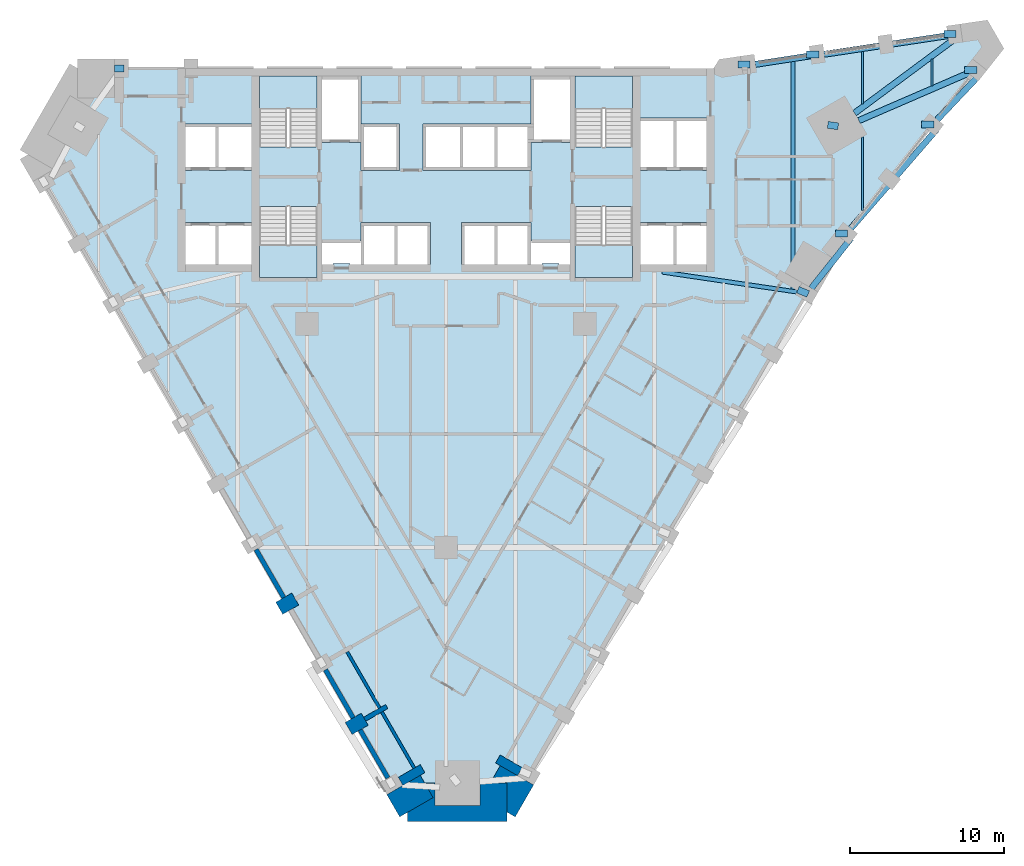
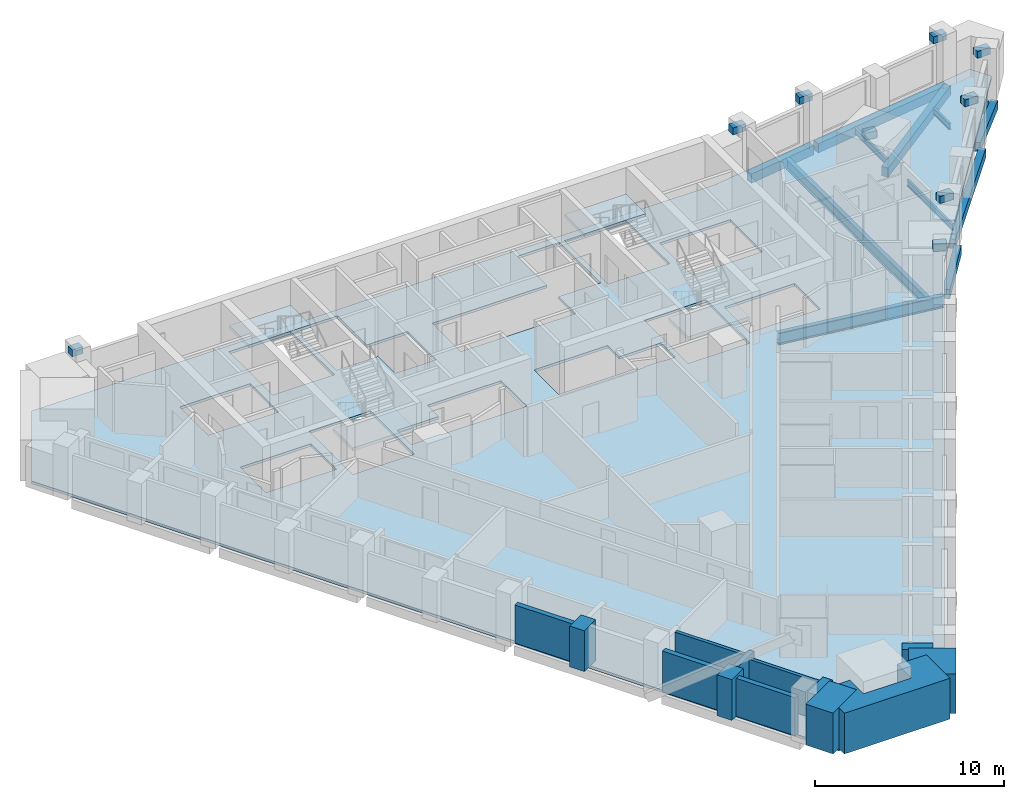
# One storey, part 2 of 11: 21 beams, 13 walls, 5 slabs, 4 elements without a shape of their own.
"""IFC4 building model written with IfcOpenShell, lengths in metres."""

from ifc_helpers import new_model, si_unit, direction, frame, frame_2d, origin, origin_2d, place, context, subcontext, project, spatial, polyline, rectangle, i_section, outline, extrude, material, layer, layer_set, material_profile, profile_set, type_object, element, aggregate, save


model = new_model("IFC4")

# Units and contexts
model_context = context("Model", 3, precision=1e-05, world=origin(), true_north=direction((0.0, 1.0)))
body_context = subcontext(model_context, "Body", "Model", "MODEL_VIEW")
ifc_project = project(units=[si_unit("LENGTHUNIT", "METRE"), si_unit("AREAUNIT", "SQUARE_METRE"), si_unit("VOLUMEUNIT", "CUBIC_METRE"), si_unit("PLANEANGLEUNIT", "RADIAN"), si_unit("MASSUNIT", "GRAM", prefix="KILO")], contexts=[model_context])

# Site, building, storey
site_placement = place(None, origin())
site = spatial("IfcSite", under=ifc_project, at=site_placement, CompositionType="ELEMENT")
building_placement = place(site_placement, origin())
building = spatial("IfcBuilding", under=site, at=building_placement, Name="Calabash Gate Tower", CompositionType="ELEMENT")
storey_placement = place(building_placement, frame((0.0, 0.0, 119.0)))
storey = spatial("IfcBuildingStorey", under=building, at=storey_placement, Name="L27", CompositionType="ELEMENT", Elevation=119.0)

# Beams
ifc_material_1 = material(Name="Concrete C80/95", Category="concrete")
ifc_material_profile_1 = material_profile(ifc_material_1, rectangle(XDim=0.449951171875, YDim=0.449951171875, at=origin_2d()))
ifc_profile_set_1 = profile_set([ifc_material_profile_1], Name="Concrete C80/95")
beam_type_1 = type_object("IfcBeamType", Name="Column offset link RC 450x450 Concrete C80/95", PredefinedType="BEAM", material=ifc_profile_set_1)
beam_1_placement = place(storey_placement, frame((25.427978515625, 15.299072265625, 3.00390625), z_axis=(-0.989849007121, 0.142122985833, 0.0), x_axis=(-0.142122985833, -0.989849007121, 0.0)))
element("IfcBeam", 1, at=beam_1_placement, inside=storey, type_object=beam_type_1, Name="Column offset link L27 NE", PredefinedType="BEAM", context=body_context, shape_type="SweptSolid", body=[
    extrude(rectangle(XDim=0.449951171875, YDim=0.449951171875, at=origin_2d()), origin(), (0.0, 0.0, 1.0), 0.681884765625),
])
beam_2_placement = place(storey_placement, frame((23.47900390625, 4.429931640625, 3.00390625), z_axis=(-0.922112578583, 0.386921687709, 0.0), x_axis=(-0.386921687709, -0.922112578583, 0.0)))
element("IfcBeam", 2, at=beam_2_placement, inside=storey, type_object=beam_type_1, Name="Column offset link L27 P12", PredefinedType="BEAM", context=body_context, shape_type="SweptSolid", body=[
    extrude(rectangle(XDim=0.449951171875, YDim=0.449951171875, at=origin_2d()), origin(), (0.0, 0.0, 1.0), 0.72119140625),
])
beam_3_placement = place(storey_placement, frame((26.04296875, 8.366943359375, 3.00390625), z_axis=(-1.0, 0.0, 0.0), x_axis=(0.0, -1.0, 0.0)))
element("IfcBeam", 3, at=beam_3_placement, inside=storey, type_object=beam_type_1, Name="Column offset link L27 P13", PredefinedType="BEAM", context=body_context, shape_type="SweptSolid", body=[
    extrude(rectangle(XDim=0.449951171875, YDim=0.449951171875, at=origin_2d()), origin(), (0.0, 0.0, 1.0), 0.796875),
])
beam_4_placement = place(storey_placement, frame((24.172119140625, 19.970947265625, 3.00390625), z_axis=(-1.0, 0.0, 0.0), x_axis=(0.0, -1.0, 0.0)))
element("IfcBeam", 4, at=beam_4_placement, inside=storey, type_object=beam_type_1, Name="Column offset link L27 P16", PredefinedType="BEAM", context=body_context, shape_type="SweptSolid", body=[
    extrude(rectangle(XDim=0.449951171875, YDim=0.449951171875, at=origin_2d()), origin(), (0.0, 0.0, 1.0), 0.795166015625),
])
beam_5_placement = place(storey_placement, frame((-20.866943359375, 19.052978515625, 3.00390625), z_axis=(-1.0, 0.0, 0.0), x_axis=(0.0, -1.0, 0.0)))
element("IfcBeam", 5, at=beam_5_placement, inside=storey, type_object=beam_type_1, Name="Column offset link L27 P17", PredefinedType="BEAM", context=body_context, shape_type="SweptSolid", body=[
    extrude(rectangle(XDim=0.449951171875, YDim=0.449951171875, at=origin_2d()), origin(), (0.0, 0.0, 1.0), 0.630126953125),
])
for number, where, z_axis, x_axis, name in (
    (6, (31.6259765625, 15.424072265625, 3.00390625), (-1.0, 0.0, 0.0), (0.0, -1.0, 0.0), "Column offset link L27 P21"),
    (7, (34.4169921875, 18.9541015625, 3.00390625), (-1.0, 0.0, 0.0), (0.0, -1.0, 0.0), "Column offset link L27 P22"),
):
    element("IfcBeam", number, at=place(storey_placement, frame(where, z_axis=z_axis, x_axis=x_axis)), inside=storey, type_object=beam_type_1, Name=name, PredefinedType="BEAM", context=body_context, shape_type="SweptSolid", body=[
        extrude(rectangle(XDim=0.449951171875, YDim=0.449951171875, at=origin_2d()), origin(), (0.0, 0.0, 1.0), 0.796875),
    ])
beam_6_placement = place(storey_placement, frame((33.075927734375, 21.27587890625, 3.00390625), z_axis=(-1.0, 0.0, 0.0), x_axis=(0.0, -1.0, 0.0)))
element("IfcBeam", 8, at=beam_6_placement, inside=storey, type_object=beam_type_1, Name="Column offset link L27 P23", PredefinedType="BEAM", context=body_context, shape_type="SweptSolid", body=[
    extrude(rectangle(XDim=0.449951171875, YDim=0.449951171875, at=origin_2d()), origin(), (0.0, 0.0, 1.0), 0.7958984375),
])
beam_7_placement = place(storey_placement, frame((19.718994140625, 19.318115234375, 3.00390625), z_axis=(-1.0, 0.0, 0.0), x_axis=(0.0, -1.0, 0.0)))
element("IfcBeam", 9, at=beam_7_placement, inside=storey, type_object=beam_type_1, Name="Column offset link L27 P24", PredefinedType="BEAM", context=body_context, shape_type="SweptSolid", body=[
    extrude(rectangle(XDim=0.449951171875, YDim=0.449951171875, at=origin_2d()), origin(), (0.0, 0.0, 1.0), 0.796875),
])
ifc_material_2 = material(Name="Concrete C60/75", Category="concrete")
ifc_material_profile_2 = material_profile(ifc_material_2, rectangle(XDim=0.39990234375, YDim=0.60009765625, at=origin_2d()))
ifc_profile_set_2 = profile_set([ifc_material_profile_2], Name="Concrete C60/75")
beam_type_2 = type_object("IfcBeamType", Name="Edge beam RC 400x600 Concrete C60/75", PredefinedType="BEAM", material=ifc_profile_set_2)
beam_8_placement = place(storey_placement, frame((23.681884765625, 4.800048828125, -0.469970703125), z_axis=(0.621757740303, 0.783209622242, 0.0), x_axis=(-0.783209622242, 0.621757740303, 0.0)))
element("IfcBeam", 10, at=beam_8_placement, inside=storey, type_object=beam_type_2, Name="Edge beam L27 10", PredefinedType="BEAM", context=body_context, shape_type="SweptSolid", body=[
    extrude(rectangle(XDim=0.39990234375, YDim=0.60009765625, at=origin_2d()), origin(), (0.0, 0.0, 1.0), 4.141845703125),
])
beam_9_placement = place(storey_placement, frame((26.237060546875, 8.66796875, -0.469970703125), z_axis=(0.654894622811, 0.755720208155, 0.0), x_axis=(-0.755720208155, 0.654894622811, 0.0)))
element("IfcBeam", 11, at=beam_9_placement, inside=storey, type_object=beam_type_2, Name="Edge beam L27 11", PredefinedType="BEAM", context=body_context, shape_type="SweptSolid", body=[
    extrude(rectangle(XDim=0.39990234375, YDim=0.60009765625, at=origin_2d()), origin(), (0.0, 0.0, 1.0), 8.540283203125),
])
beam_10_placement = place(storey_placement, frame((31.839111328125, 15.72412109375, -0.469970703125), z_axis=(0.685941332038, 0.727656848385, 0.0), x_axis=(-0.727656848385, 0.685941332038, 0.0)))
element("IfcBeam", 12, at=beam_10_placement, inside=storey, type_object=beam_type_2, Name="Edge beam L27 12", PredefinedType="BEAM", context=body_context, shape_type="SweptSolid", body=[
    extrude(rectangle(XDim=0.39990234375, YDim=0.60009765625, at=origin_2d()), origin(), (0.0, 0.0, 1.0), 4.026611328125),
])
beam_11_placement = place(storey_placement, frame((34.27392578125, 18.922119140625, -0.469970703125), z_axis=(-0.917731210619, -0.397201995282, 0.0), x_axis=(0.397201995282, -0.917731210619, 0.0)))
element("IfcBeam", 13, at=beam_11_placement, inside=storey, type_object=beam_type_2, Name="Edge beam L27 13", PredefinedType="BEAM", context=body_context, shape_type="SweptSolid", body=[
    extrude(rectangle(XDim=0.39990234375, YDim=0.60009765625, at=origin_2d()), origin(), (0.0, 0.0, 1.0), 8.1796875),
])
beam_12_placement = place(storey_placement, frame((26.489990234375, 16.153076171875, -0.469970703125), z_axis=(0.803084890755, 0.595864630802, 0.0), x_axis=(-0.595864630802, 0.803084890755, 0.0)))
element("IfcBeam", 14, at=beam_12_placement, inside=storey, type_object=beam_type_2, Name="Edge beam L27 14", PredefinedType="BEAM", context=body_context, shape_type="SweptSolid", body=[
    extrude(rectangle(XDim=0.39990234375, YDim=0.60009765625, at=origin_2d()), origin(), (0.0, 0.0, 1.0), 8.319091796875),
])
beam_13_placement = place(storey_placement, frame((33.139892578125, 21.27392578125, -0.469970703125), z_axis=(-0.988841625555, -0.148970599683, 0.0), x_axis=(0.148970599683, -0.988841625555, 0.0)))
element("IfcBeam", 15, at=beam_13_placement, inside=storey, type_object=beam_type_2, Name="Edge beam L27 15", PredefinedType="BEAM", context=body_context, shape_type="SweptSolid", body=[
    extrude(rectangle(XDim=0.39990234375, YDim=0.60009765625, at=origin_2d()), origin(), (0.0, 0.0, 1.0), 8.7333984375),
])
beam_14_placement = place(storey_placement, frame((24.236083984375, 19.968017578125, -0.469970703125), z_axis=(-0.988255414285, -0.152811112607, 0.0), x_axis=(0.152811112607, -0.988255414285, 0.0)))
element("IfcBeam", 16, at=beam_14_placement, inside=storey, type_object=beam_type_2, Name="Edge beam L27 16", PredefinedType="BEAM", context=body_context, shape_type="SweptSolid", body=[
    extrude(rectangle(XDim=0.39990234375, YDim=0.60009765625, at=origin_2d()), origin(), (0.0, 0.0, 1.0), 4.23388671875),
])
ifc_material_3 = material(Name="Steel ASTM A992 Gr50", Category="steel")
ifc_material_profile_3 = material_profile(ifc_material_3, i_section(OverallWidth=0.1396484375, OverallDepth=0.398681640625, WebThickness=0.00634765625, FlangeThickness=0.0087890625, FilletRadius=0.01025390625, at=origin_2d()))
ifc_profile_set_3 = profile_set([ifc_material_profile_3], Name="Steel ASTM A992 Gr50")
beam_type_3 = type_object("IfcBeamType", Name="Floor beam W16x26 ASTM A992 Gr50", PredefinedType="BEAM", material=ifc_profile_set_3)
beam_15_placement = place(storey_placement, frame((27.0, 9.833984375, -0.368896484375), z_axis=(0.0, 1.0, 0.0), x_axis=(-1.0, 0.0, 0.0)))
element("IfcBeam", 17, at=beam_15_placement, inside=storey, type_object=beam_type_3, Name="Floor beam L27 19", PredefinedType="BEAM", context=body_context, shape_type="SweptSolid", body=[
    extrude(i_section(OverallWidth=0.1396484375, OverallDepth=0.398681640625, WebThickness=0.00634765625, FlangeThickness=0.0087890625, FilletRadius=0.01025390625, at=origin_2d()), origin(), (0.0, 0.0, 1.0), 4.7880859375),
])
beam_16_placement = place(storey_placement, frame((27.0, 16.748046875, -0.368896484375), z_axis=(0.0, 1.0, 0.0), x_axis=(-1.0, 0.0, 0.0)))
element("IfcBeam", 18, at=beam_16_placement, inside=storey, type_object=beam_type_3, Name="Floor beam L27 20", PredefinedType="BEAM", context=body_context, shape_type="SweptSolid", body=[
    extrude(i_section(OverallWidth=0.1396484375, OverallDepth=0.398681640625, WebThickness=0.00634765625, FlangeThickness=0.0087890625, FilletRadius=0.01025390625, at=origin_2d()), origin(), (0.0, 0.0, 1.0), 3.419921875),
])
beam_17_placement = place(storey_placement, frame((31.5, 17.91796875, -0.368896484375), z_axis=(0.0, 1.0, 0.0), x_axis=(-1.0, 0.0, 0.0)))
element("IfcBeam", 19, at=beam_17_placement, inside=storey, type_object=beam_type_3, Name="Floor beam L27 21", PredefinedType="BEAM", context=body_context, shape_type="SweptSolid", body=[
    extrude(i_section(OverallWidth=0.1396484375, OverallDepth=0.398681640625, WebThickness=0.00634765625, FlangeThickness=0.0087890625, FilletRadius=0.01025390625, at=origin_2d()), origin(), (0.0, 0.0, 1.0), 1.735107421875),
])
ifc_material_4 = material(Name="Steel ASTM A992 Gr50", Category="steel")
ifc_material_profile_4 = material_profile(ifc_material_4, i_section(OverallWidth=0.25390625, OverallDepth=0.67822265625, WebThickness=0.01171875, FlangeThickness=0.016357421875, FilletRadius=0.01513671875, at=origin_2d()))
ifc_profile_set_4 = profile_set([ifc_material_profile_4], Name="Steel ASTM A992 Gr50")
beam_type_4 = type_object("IfcBeamType", Name="Floor beam W27x84 ASTM A992 Gr50", PredefinedType="BEAM", material=ifc_profile_set_4)
beam_18_placement = place(storey_placement, frame((22.5, 4.722900390625, -0.509033203125), z_axis=(0.0, 1.0, 0.0), x_axis=(-1.0, 0.0, 0.0)))
element("IfcBeam", 20, at=beam_18_placement, inside=storey, type_object=beam_type_4, Name="Floor beam L27 18", PredefinedType="BEAM", context=body_context, shape_type="SweptSolid", body=[
    extrude(i_section(OverallWidth=0.25390625, OverallDepth=0.67822265625, WebThickness=0.01171875, FlangeThickness=0.016357421875, FilletRadius=0.01513671875, at=origin_2d()), origin(), (0.0, 0.0, 1.0), 14.80517578125),
])
ifc_material_5 = material(Name="Steel ASTM A992 Gr50", Category="steel")
ifc_material_profile_5 = material_profile(ifc_material_5, i_section(OverallWidth=0.2666015625, OverallDepth=0.77978515625, WebThickness=0.0166015625, FlangeThickness=0.030029296875, FilletRadius=0.0166015625, at=origin_2d()))
ifc_profile_set_5 = profile_set([ifc_material_profile_5], Name="Steel ASTM A992 Gr50")
beam_type_5 = type_object("IfcBeamType", Name="Girder W30x148 ASTM A992 Gr50", PredefinedType="BEAM", material=ifc_profile_set_5)
beam_19_placement = place(storey_placement, frame((23.323974609375, 4.47802734375, -0.56005859375), z_axis=(-0.989239618769, 0.146304397262, 0.0), x_axis=(-0.146304397262, -0.989239618769, 0.0)))
element("IfcBeam", 21, at=beam_19_placement, inside=storey, type_object=beam_type_5, Name="Girder L27 3", PredefinedType="BEAM", context=body_context, shape_type="SweptSolid", body=[
    extrude(i_section(OverallWidth=0.2666015625, OverallDepth=0.77978515625, WebThickness=0.0166015625, FlangeThickness=0.030029296875, FilletRadius=0.0166015625, at=origin_2d()), origin(), (0.0, 0.0, 1.0), 9.418212890625),
])

# Slab
ifc_material_6 = material(Name="Concrete C40/50", Category="concrete")
ifc_layer_1 = layer(ifc_material_6, 0.169921875)
ifc_layer_set_1 = layer_set([ifc_layer_1], Name="Composite floor slab 170 Concrete C40/50")
slab_type_1 = type_object("IfcSlabType", Name="Composite floor slab 170 Concrete C40/50", PredefinedType="FLOOR", material=ifc_layer_set_1)
slab_1_placement = place(storey_placement, frame((0.0, 0.0, -0.169921875)))
element("IfcSlab", 22, at=slab_1_placement, inside=storey, type_object=slab_type_1, Name="Floor slab L27", PredefinedType="FLOOR", context=body_context, shape_type="SweptSolid", body=[
    extrude(outline(polyline([(-27.0966796875, 13.46826171875), (-23.87255859375, 19.052490234375), (17.806640625, 19.052490234375), (34.788818359375, 21.54150390625), (35.453369140625, 20.390625), (24.806640625, 6.92822265625), (3.967041015625, -29.167236328125), (-2.481201171875, -29.167236328125), (-27.0966796875, 13.46826171875)]), holes=[polyline([(-5.5, 9.052490234375), (-5.5, 7.8525390625), (-8.050048828125, 7.8525390625), (-8.050048828125, 6.3525390625), (-7.324951171875, 6.3525390625), (-7.324951171875, 6.402587890625), (-6.22509765625, 6.402587890625), (-6.22509765625, 6.3525390625), (-5.5, 6.3525390625), (-3.25, 6.3525390625), (-1.0, 6.3525390625), (-1.0, 9.052490234375), (-3.25, 9.052490234375), (-5.5, 9.052490234375)]), polyline([(5.5, 9.052490234375), (3.25, 9.052490234375), (1.0, 9.052490234375), (1.0, 6.3525390625), (3.25, 6.3525390625), (5.5, 6.3525390625), (6.22509765625, 6.3525390625), (6.22509765625, 6.402587890625), (7.324951171875, 6.402587890625), (7.324951171875, 6.3525390625), (8.050048828125, 6.3525390625), (8.050048828125, 7.8525390625), (5.5, 7.8525390625), (5.5, 9.052490234375)]), polyline([(-5.5, 14.252685546875), (-5.5, 12.45263671875), (-3.0, 12.45263671875), (-3.0, 15.45263671875), (-5.5, 15.45263671875), (-5.5, 18.552490234375), (-8.050048828125, 18.552490234375), (-8.050048828125, 14.252685546875), (-5.5, 14.252685546875)]), polyline([(8.050048828125, 18.552490234375), (5.5, 18.552490234375), (5.5, 15.45263671875), (3.25, 15.45263671875), (1.0, 15.45263671875), (-1.5, 15.45263671875), (-1.5, 12.45263671875), (1.0, 12.45263671875), (3.25, 12.45263671875), (5.5, 12.45263671875), (5.5, 14.252685546875), (8.050048828125, 14.252685546875), (8.050048828125, 18.552490234375)]), polyline([(-12.60009765625, 6.3525390625), (-12.60009765625, 9.052490234375), (-14.85009765625, 9.052490234375), (-16.89990234375, 9.052490234375), (-16.89990234375, 6.3525390625), (-14.85009765625, 6.3525390625), (-12.60009765625, 6.3525390625)]), polyline([(-14.85009765625, 12.45263671875), (-12.60009765625, 12.45263671875), (-12.60009765625, 15.45263671875), (-14.85009765625, 15.45263671875), (-16.89990234375, 15.45263671875), (-16.89990234375, 12.45263671875), (-14.85009765625, 12.45263671875)]), polyline([(14.85009765625, 6.3525390625), (16.89990234375, 6.3525390625), (16.89990234375, 9.052490234375), (14.85009765625, 9.052490234375), (12.60009765625, 9.052490234375), (12.60009765625, 6.3525390625), (14.85009765625, 6.3525390625)]), polyline([(14.85009765625, 12.45263671875), (16.89990234375, 12.45263671875), (16.89990234375, 15.8525390625), (14.85009765625, 15.8525390625), (12.60009765625, 15.8525390625), (12.60009765625, 12.45263671875), (14.85009765625, 12.45263671875)]), polyline([(-8.35009765625, 18.552490234375), (-12.10009765625, 18.552490234375), (-12.10009765625, 13.95263671875), (-8.35009765625, 13.95263671875), (-8.35009765625, 18.552490234375)]), polyline([(-12.10009765625, 10.1025390625), (-12.10009765625, 5.502685546875), (-8.35009765625, 5.502685546875), (-8.35009765625, 10.1025390625), (-12.10009765625, 10.1025390625)]), polyline([(8.35009765625, 13.95263671875), (12.10009765625, 13.95263671875), (12.10009765625, 18.552490234375), (8.35009765625, 18.552490234375), (8.35009765625, 13.95263671875)]), polyline([(12.10009765625, 5.502685546875), (12.10009765625, 10.1025390625), (8.35009765625, 10.1025390625), (8.35009765625, 5.502685546875), (12.10009765625, 5.502685546875)])]), origin(), (0.0, 0.0, 1.0), 0.169921875),
])

# Stair, slab
ifc_material_7 = material(Name="Concrete C40/50", Category="concrete")
stair_type = type_object("IfcStairType", Name="Exit stair 20 risers of 170 mm", PredefinedType="HALF_TURN_STAIR", material=ifc_material_7)
stair_1_placement = place(storey_placement, origin())
stair_1 = element("IfcStair", 23, at=stair_1_placement, inside=storey, type_object=stair_type, Name="L27 Exit stair ST1", PredefinedType="HALF_TURN_STAIR")
ifc_material_8 = material(Name="Concrete C40/50", Category="concrete")
ifc_layer_2 = layer(ifc_material_8, 0.199951171875)
ifc_layer_set_2 = layer_set([ifc_layer_2], Name="Stair landing SL200")
slab_type_2 = type_object("IfcSlabType", Name="Stair landing SL200", PredefinedType="LANDING", material=ifc_layer_set_2)
slab_2_placement = place(storey_placement, frame((0.0, 0.0, 1.5)))
slab_2 = element("IfcSlab", 24, at=slab_2_placement, type_object=slab_type_2, Name="ST1 landing 1", PredefinedType="LANDING", context=body_context, shape_type="SweptSolid", body=[
    extrude(outline(polyline([(-8.35009765625, 16.463623046875), (-8.35009765625, 18.552490234375), (-12.10009765625, 18.552490234375), (-12.10009765625, 16.463623046875), (-8.35009765625, 16.463623046875)])), origin(), (0.0, 0.0, 1.0), 0.199951171875),
])
aggregate(stair_1, [slab_2])

stair_2_placement = place(storey_placement, origin())
stair_2 = element("IfcStair", 25, at=stair_2_placement, inside=storey, type_object=stair_type, Name="L27 Exit stair ST2", PredefinedType="HALF_TURN_STAIR")
slab_3_placement = place(storey_placement, frame((0.0, 0.0, 1.5)))
slab_3 = element("IfcSlab", 26, at=slab_3_placement, type_object=slab_type_2, Name="ST2 landing 1", PredefinedType="LANDING", context=body_context, shape_type="SweptSolid", body=[
    extrude(outline(polyline([(-12.10009765625, 7.591552734375), (-12.10009765625, 5.502685546875), (-8.35009765625, 5.502685546875), (-8.35009765625, 7.591552734375), (-12.10009765625, 7.591552734375)])), origin(), (0.0, 0.0, 1.0), 0.199951171875),
])
aggregate(stair_2, [slab_3])

stair_3_placement = place(storey_placement, origin())
stair_3 = element("IfcStair", 27, at=stair_3_placement, inside=storey, type_object=stair_type, Name="L27 Exit stair ST3", PredefinedType="HALF_TURN_STAIR")
slab_4_placement = place(storey_placement, frame((0.0, 0.0, 1.5)))
slab_4 = element("IfcSlab", 28, at=slab_4_placement, type_object=slab_type_2, Name="ST3 landing 1", PredefinedType="LANDING", context=body_context, shape_type="SweptSolid", body=[
    extrude(outline(polyline([(12.10009765625, 16.463623046875), (12.10009765625, 18.552490234375), (8.35009765625, 18.552490234375), (8.35009765625, 16.463623046875), (12.10009765625, 16.463623046875)])), origin(), (0.0, 0.0, 1.0), 0.199951171875),
])
aggregate(stair_3, [slab_4])

stair_4_placement = place(storey_placement, origin())
stair_4 = element("IfcStair", 29, at=stair_4_placement, inside=storey, type_object=stair_type, Name="L27 Exit stair ST4", PredefinedType="HALF_TURN_STAIR")
slab_5_placement = place(storey_placement, frame((0.0, 0.0, 1.5)))
slab_5 = element("IfcSlab", 30, at=slab_5_placement, type_object=slab_type_2, Name="ST4 landing 1", PredefinedType="LANDING", context=body_context, shape_type="SweptSolid", body=[
    extrude(outline(polyline([(8.35009765625, 7.591552734375), (8.35009765625, 5.502685546875), (12.10009765625, 5.502685546875), (12.10009765625, 7.591552734375), (8.35009765625, 7.591552734375)])), origin(), (0.0, 0.0, 1.0), 0.199951171875),
])
aggregate(stair_4, [slab_5])

# Walls
ifc_material_9 = material(Name="Terracotta brick masonry, exposed face", Category="masonry")
ifc_layer_3 = layer(ifc_material_9, 2.5)
ifc_layer_set_3 = layer_set([ifc_layer_3], Name="Brick corner mass wall 2500")
wall_type_1 = type_object("IfcWallType", Name="Brick corner mass wall 2500", PredefinedType="SOLIDWALL", material=ifc_layer_set_3)
wall_1_placement = place(storey_placement, origin())
element("IfcWall", 31, at=wall_1_placement, inside=storey, type_object=wall_type_1, Name="Brick corner pier S07 1a", PredefinedType="SOLIDWALL", context=body_context, shape_type="SweptSolid", body=[
    extrude(outline(polyline([(-0.8359375, -28.21728515625), (-1.668701171875, -26.77490234375), (-3.833740234375, -28.02490234375), (-3.0009765625, -29.46728515625), (-0.8359375, -28.21728515625)])), origin(), (0.0, 0.0, 1.0), 2.6298828125),
])
wall_2_placement = place(storey_placement, origin())
element("IfcWall", 32, at=wall_2_placement, inside=storey, type_object=wall_type_1, Name="Brick corner pier S07 1b", PredefinedType="SOLIDWALL", context=body_context, shape_type="SweptSolid", body=[
    extrude(outline(polyline([(-1.38427734375, -27.26708984375), (-0.8359375, -28.21728515625), (-2.481201171875, -29.167236328125), (-2.481201171875, -29.76708984375), (3.967041015625, -29.76708984375), (3.967041015625, -27.26708984375), (2.193115234375, -27.26708984375), (2.193115234375, -28.721923828125), (-0.70703125, -28.721923828125), (-0.70703125, -27.26708984375), (-1.38427734375, -27.26708984375)])), origin(), (0.0, 0.0, 1.0), 2.6298828125),
])
wall_3_placement = place(storey_placement, origin())
element("IfcWall", 33, at=wall_3_placement, inside=storey, type_object=wall_type_1, Name="Brick corner pier S07 1c", PredefinedType="SOLIDWALL", context=body_context, shape_type="SweptSolid", body=[
    extrude(outline(polyline([(5.681396484375, -27.397705078125), (3.516357421875, -26.147705078125), (2.8701171875, -27.26708984375), (3.967041015625, -27.26708984375), (3.967041015625, -29.167236328125), (4.486572265625, -29.46728515625), (5.681396484375, -27.397705078125)])), origin(), (0.0, 0.0, 1.0), 2.552001953125),
])
ifc_material_10 = material(Name="Terracotta brick masonry, exposed face", Category="masonry")
ifc_layer_4 = layer(ifc_material_10, 1.199951171875)
ifc_layer_set_4 = layer_set([ifc_layer_4], Name="Brick end wall 1200")
wall_type_2 = type_object("IfcWallType", Name="Brick end wall 1200", PredefinedType="SOLIDWALL", material=ifc_layer_set_4)
for number, where, z_axis, x_axis, name in (
    (34, (-10.80859375, -15.94384765625, 0.0), (0.0, 0.0, 1.0), (0.865955154139, 0.50012165622, 0.0), "Brick pier S07 SW0.7"),
    (35, (-6.30859375, -23.738037109375, 0.0), (0.0, 0.0, 1.0), (0.865955154139, 0.50012165622, 0.0), "Brick pier S07 SW0.9"),
):
    element("IfcWall", number, at=place(storey_placement, frame(where, z_axis=z_axis, x_axis=x_axis)), inside=storey, type_object=wall_type_2, Name=name, PredefinedType="SOLIDWALL", context=body_context, shape_type="SweptSolid", body=[
        extrude(rectangle(XDim=1.199951171875, YDim=0.89990234375, at=frame_2d((0.60009765625, 0.0))), origin(), (0.0, 0.0, 1.0), 2.6298828125),
    ])
ifc_material_11 = material(Name="Terracotta brick masonry, exposed face", Category="masonry")
ifc_layer_5 = layer(ifc_material_11, 0.300048828125)
ifc_layer_set_5 = layer_set([ifc_layer_5], Name="Brick infill panel wall 300")
wall_type_3 = type_object("IfcWallType", Name="Brick infill panel wall 300", PredefinedType="SOLIDWALL", material=ifc_layer_set_5)
wall_4_placement = place(storey_placement, frame((-10.513916015625, -15.25390625, 0.0), z_axis=(0.0, 0.0, 1.0), x_axis=(-0.500070795158, 0.865984526323, 0.0)))
element("IfcWall", 36, at=wall_4_placement, inside=storey, type_object=wall_type_3, Name="Brick panel S07 SW0.7", PredefinedType="SOLIDWALL", context=body_context, shape_type="SweptSolid", body=[
    extrude(rectangle(XDim=3.599609375, YDim=0.300048828125, at=frame_2d((1.7998046875, 0.0))), origin(), (0.0, 0.0, 1.0), 2.4501953125),
])
wall_5_placement = place(storey_placement, frame((-7.81396484375, -19.9306640625, 0.0), z_axis=(0.0, 0.0, 1.0), x_axis=(0.500012057535, -0.866018442252, 0.0)))
element("IfcWall", 37, at=wall_5_placement, inside=storey, type_object=wall_type_3, Name="Brick panel S07 SW0.9", PredefinedType="SOLIDWALL", context=body_context, shape_type="SweptSolid", body=[
    extrude(rectangle(XDim=3.60009765625, YDim=0.300048828125, at=frame_2d((1.800048828125, 0.0))), origin(), (0.0, 0.0, 1.0), 2.6298828125),
])
wall_6_placement = place(storey_placement, frame((-3.764892578125, -26.94384765625, 0.0), z_axis=(0.0, 0.0, 1.0), x_axis=(-0.499984792966, 0.866034183392, 0.0)))
element("IfcWall", 38, at=wall_6_placement, inside=storey, type_object=wall_type_3, Name="Brick panel S07 SW0.10", PredefinedType="SOLIDWALL", context=body_context, shape_type="SweptSolid", body=[
    extrude(rectangle(XDim=3.59814453125, YDim=0.300048828125, at=frame_2d((1.799072265625, 0.0))), origin(), (0.0, 0.0, 1.0), 2.4501953125),
])
ifc_material_12 = material(Name="Terracotta brick masonry, exposed face", Category="masonry")
ifc_layer_6 = layer(ifc_material_12, 0.300048828125)
ifc_layer_set_6 = layer_set([ifc_layer_6], Name="Brick loggia cheek wall 300")
wall_type_4 = type_object("IfcWallType", Name="Brick loggia cheek wall 300", PredefinedType="SOLIDWALL", material=ifc_layer_set_6)
wall_7_placement = place(storey_placement, frame((-5.26953125, -23.137939453125, 0.0), z_axis=(0.0, 0.0, 1.0), x_axis=(0.866040211805, 0.499974350878, 0.0)))
element("IfcWall", 39, at=wall_7_placement, inside=storey, type_object=wall_type_4, Name="Loggia cheek S07 SW0.9", PredefinedType="SOLIDWALL", context=body_context, shape_type="SweptSolid", body=[
    extrude(rectangle(XDim=1.64990234375, YDim=0.300048828125, at=frame_2d((0.824951171875, 0.0))), origin(), (0.0, 0.0, 1.0), 2.6279296875),
])
for number, where, z_axis, x_axis, name in (
    (40, (-1.515380859375, -26.340087890625, 0.0), (0.0, 0.0, 1.0), (-0.866040211805, -0.499974350878, 0.0), "Loggia cheek S07 SW0.10"),
    (41, (4.792236328125, -26.537841796875, 0.0), (0.0, 0.0, 1.0), (-0.866040211805, 0.499974350878, 0.0), "Loggia cheek S07 SE2.0"),
):
    element("IfcWall", number, at=place(storey_placement, frame(where, z_axis=z_axis, x_axis=x_axis)), inside=storey, type_object=wall_type_4, Name=name, PredefinedType="SOLIDWALL", context=body_context, shape_type="SweptSolid", body=[
        extrude(rectangle(XDim=1.64990234375, YDim=0.60009765625, at=frame_2d((0.824951171875, 0.0))), origin(), (0.0, 0.0, 1.0), 2.4501953125),
    ])
ifc_material_13 = material(Name="Aluminium framed window wall with insulated spandrel", Category="aluminium")
ifc_layer_7 = layer(ifc_material_13, 0.199951171875)
ifc_layer_set_7 = layer_set([ifc_layer_7], Name="Window wall 200")
wall_type_5 = type_object("IfcWallType", Name="Window wall 200", PredefinedType="ELEMENTEDWALL", material=ifc_layer_set_7)
wall_8_placement = place(storey_placement, frame((-6.4052734375, -18.770751953125, 0.0), z_axis=(0.0, 0.0, 1.0), x_axis=(0.500027713859, -0.866009402589, 0.0)))
element("IfcWall", 42, at=wall_8_placement, inside=storey, type_object=wall_type_5, Name="Window wall S07 SW0.9", PredefinedType="ELEMENTEDWALL", context=body_context, shape_type="SweptSolid", body=[
    extrude(rectangle(XDim=4.199951171875, YDim=0.199951171875, at=frame_2d((2.10009765625, 0.0))), origin(), (0.0, 0.0, 1.0), 2.6279296875),
])
wall_9_placement = place(storey_placement, frame((-4.1552734375, -22.66796875, 0.0), z_axis=(0.0, 0.0, 1.0), x_axis=(0.500027713859, -0.866009402589, 0.0)))
element("IfcWall", 43, at=wall_9_placement, inside=storey, type_object=wall_type_5, Name="Window wall S07 SW0.10", PredefinedType="ELEMENTEDWALL", context=body_context, shape_type="SweptSolid", body=[
    extrude(rectangle(XDim=4.199951171875, YDim=0.199951171875, at=frame_2d((2.10009765625, 0.0))), origin(), (0.0, 0.0, 1.0), 2.4501953125),
])

save(model, "model.ifc")
